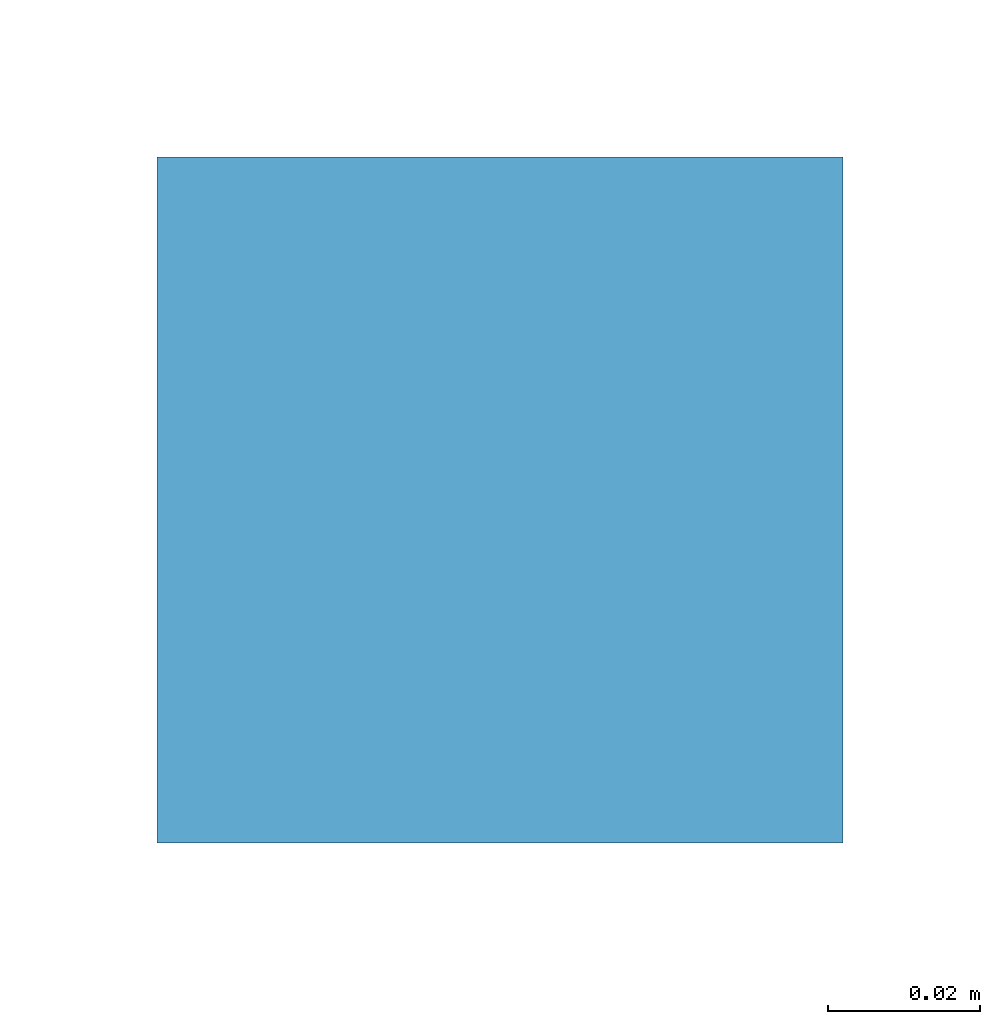
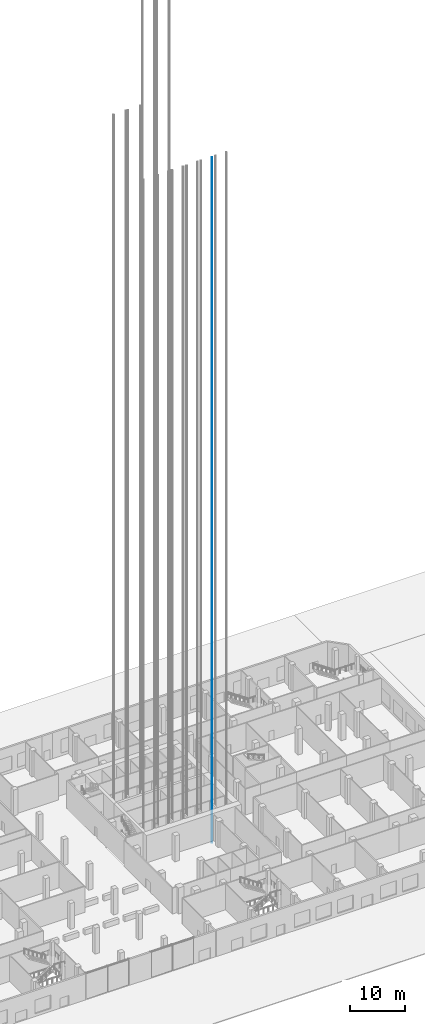
# One storey, part 21 of 55: 1 member.
"""IFC4 building model written with IfcOpenShell, lengths in metres."""

from ifc_helpers import new_model, si_unit, direction, frame, origin, origin_2d, place, context, subcontext, project, spatial, rectangle, extrude, material, material_profile, profile_set, type_object, element, save


model = new_model("IFC4")

# Units and contexts
model_context = context("Model", 3, precision=1e-05, world=origin(), true_north=direction((0.0, 1.0)))
body_context = subcontext(model_context, "Body", "Model", "MODEL_VIEW")
ifc_project = project(units=[si_unit("LENGTHUNIT", "METRE"), si_unit("AREAUNIT", "SQUARE_METRE"), si_unit("VOLUMEUNIT", "CUBIC_METRE"), si_unit("PLANEANGLEUNIT", "RADIAN"), si_unit("MASSUNIT", "GRAM", prefix="KILO")], contexts=[model_context])

# Site, building, storey
site_placement = place(None, origin())
site = spatial("IfcSite", under=ifc_project, at=site_placement, CompositionType="ELEMENT")
building_placement = place(site_placement, origin())
building = spatial("IfcBuilding", under=site, at=building_placement, Name="Cinnabar Reach Civic Tower", CompositionType="ELEMENT")
storey_placement = place(building_placement, origin())
storey = spatial("IfcBuildingStorey", under=building, at=storey_placement, Name="L00", CompositionType="ELEMENT", Elevation=0.0)

# Member
ifc_material = material(Name="Steel Q355B", Category="steel")
ifc_material_profile = material_profile(ifc_material, rectangle(XDim=0.09, YDim=0.09, at=origin_2d()), Name="T1 lift guide rail")
ifc_profile_set = profile_set([ifc_material_profile], Name="Steel Q355B")
member_type = type_object("IfcMemberType", Name="T1 lift guide rail", PredefinedType="USERDEFINED", material=ifc_profile_set)
member_placement = place(storey_placement, frame((19.13, 22.5, -2.5), z_axis=(0.0, 0.0, 1.0), x_axis=(1.0, 0.0, 0.0)))
element("IfcMember", 1, at=member_placement, inside=storey, type_object=member_type, Name="T1-LR5 guide rail 2", ObjectType="GUIDE RAIL", PredefinedType="USERDEFINED", context=body_context, shape_type="SweptSolid", body=[
    extrude(rectangle(XDim=0.09, YDim=0.09, at=origin_2d()), origin(), (0.0, 0.0, 1.0), 150.9),
])

save(model, "model.ifc")
